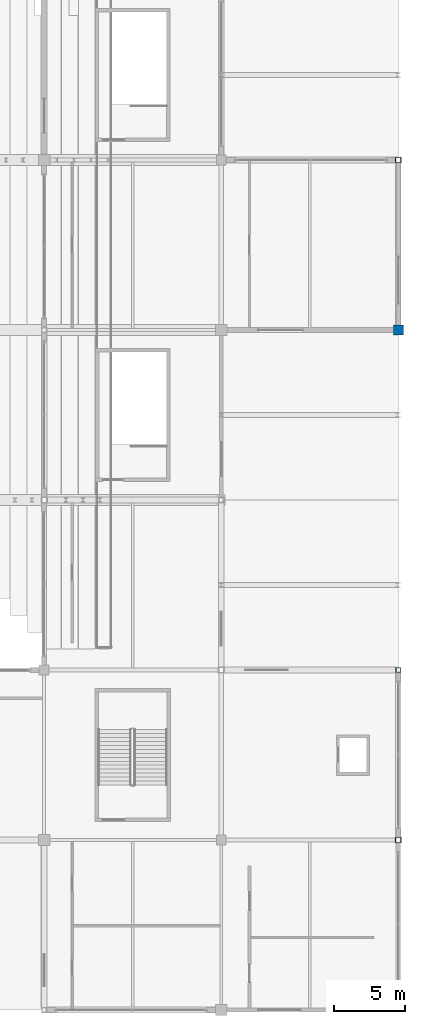
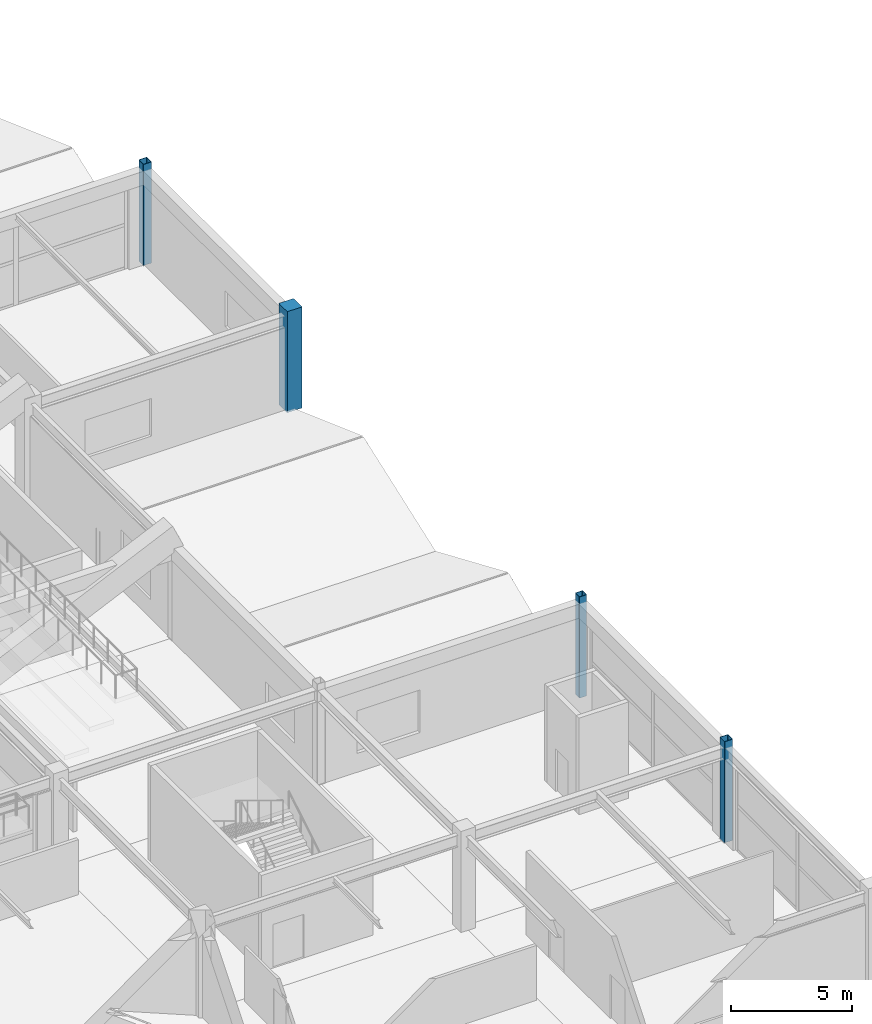
# One storey, part 14 of 128: 4 columns.
"""IFC4 building model written with IfcOpenShell, lengths in metres."""

from ifc_helpers import new_model, si_unit, direction, frame, origin, origin_2d, place, context, subcontext, project, spatial, rectangle, hollow_rectangle, extrude, material, material_profile, profile_set, type_object, element, save


model = new_model("IFC4")

# Units and contexts
model_context = context("Model", 3, precision=1e-05, world=origin(), true_north=direction((0.0, 1.0)))
body_context = subcontext(model_context, "Body", "Model", "MODEL_VIEW")
ifc_project = project(units=[si_unit("LENGTHUNIT", "METRE"), si_unit("AREAUNIT", "SQUARE_METRE"), si_unit("VOLUMEUNIT", "CUBIC_METRE"), si_unit("PLANEANGLEUNIT", "RADIAN"), si_unit("MASSUNIT", "GRAM", prefix="KILO")], contexts=[model_context])

# Site, building, storey
site_placement = place(None, origin())
site = spatial("IfcSite", under=ifc_project, at=site_placement, CompositionType="ELEMENT")
building_placement = place(site_placement, origin())
building = spatial("IfcBuilding", under=site, at=building_placement, Name="Kazenohara Klinker Stadium", CompositionType="ELEMENT")
storey_placement = place(building_placement, frame((0.0, 0.0, 15.300048828125)))
storey = spatial("IfcBuildingStorey", under=building, at=storey_placement, Name="L03", CompositionType="ELEMENT", Elevation=15.300048828125)

# Columns
ifc_material_1 = material(Name="Concrete C40/50", Category="concrete")
ifc_material_profile_1 = material_profile(ifc_material_1, rectangle(XDim=0.699951171875, YDim=0.699951171875, at=origin_2d()), Name="RC-COL-700x700")
ifc_profile_set_1 = profile_set([ifc_material_profile_1], Name="Concrete C40/50")
column_type_1 = type_object("IfcColumnType", Name="COL-RC06", PredefinedType="COLUMN", material=ifc_profile_set_1)
column_1_placement = place(storey_placement, frame((200.0, 60.0, 0.0), z_axis=(0.0, 0.0, 1.0), x_axis=(1.0, 0.0, 0.0)))
element("IfcColumn", 1, at=column_1_placement, inside=storey, type_object=column_type_1, Name="Column C06 L03 17/F", PredefinedType="COLUMN", context=body_context, shape_type="SweptSolid", body=[
    extrude(rectangle(XDim=0.699951171875, YDim=0.699951171875, at=origin_2d()), origin(), (0.0, 0.0, 1.0), 5.099853515625),
])
ifc_material_2 = material(Name="Steel S355", Category="steel")
ifc_material_profile_2 = material_profile(ifc_material_2, hollow_rectangle(XDim=0.39990234375, YDim=0.39990234375, WallThickness=0.01611328125, InnerFilletRadius=0.01611328125, OuterFilletRadius=0.031982421875, at=origin_2d()), Name="SHS-400x400x16")
ifc_profile_set_2 = profile_set([ifc_material_profile_2], Name="Steel S355")
column_type_2 = type_object("IfcColumnType", Name="COL-ST01", PredefinedType="COLUMN", material=ifc_profile_set_2)
for number, where, z_axis, x_axis, name in (
    (2, (200.0, 24.0, 0.0), (0.0, 0.0, 1.0), (1.0, 0.0, 0.0), "Column SC01 L03 17/C"),
    (3, (200.0, 72.0, 0.0), (0.0, 0.0, 1.0), (1.0, 0.0, 0.0), "Column SC01 L03 17/G"),
):
    element("IfcColumn", number, at=place(storey_placement, frame(where, z_axis=z_axis, x_axis=x_axis)), inside=storey, type_object=column_type_2, Name=name, PredefinedType="COLUMN", context=body_context, shape_type="SweptSolid", body=[
        extrude(hollow_rectangle(XDim=0.39990234375, YDim=0.39990234375, WallThickness=0.01611328125, InnerFilletRadius=0.01611328125, OuterFilletRadius=0.031982421875, at=origin_2d()), origin(), (0.0, 0.0, 1.0), 5.099853515625),
    ])
ifc_material_profile_3 = material_profile(ifc_material_2, hollow_rectangle(XDim=0.35009765625, YDim=0.35009765625, WallThickness=0.01611328125, InnerFilletRadius=0.01611328125, OuterFilletRadius=0.031982421875, at=origin_2d()), Name="SHS-350x350x16")
ifc_profile_set_3 = profile_set([ifc_material_profile_3], Name="Steel S355")
column_type_3 = type_object("IfcColumnType", Name="COL-ST02", PredefinedType="COLUMN", material=ifc_profile_set_3)
column_2_placement = place(storey_placement, frame((200.0, 36.0, 0.0), z_axis=(0.0, 0.0, 1.0), x_axis=(1.0, 0.0, 0.0)))
element("IfcColumn", 4, at=column_2_placement, inside=storey, type_object=column_type_3, Name="Column SC02 L03 17/D", PredefinedType="COLUMN", context=body_context, shape_type="SweptSolid", body=[
    extrude(hollow_rectangle(XDim=0.35009765625, YDim=0.35009765625, WallThickness=0.01611328125, InnerFilletRadius=0.01611328125, OuterFilletRadius=0.031982421875, at=origin_2d()), origin(), (0.0, 0.0, 1.0), 5.099853515625),
])

save(model, "model.ifc")
